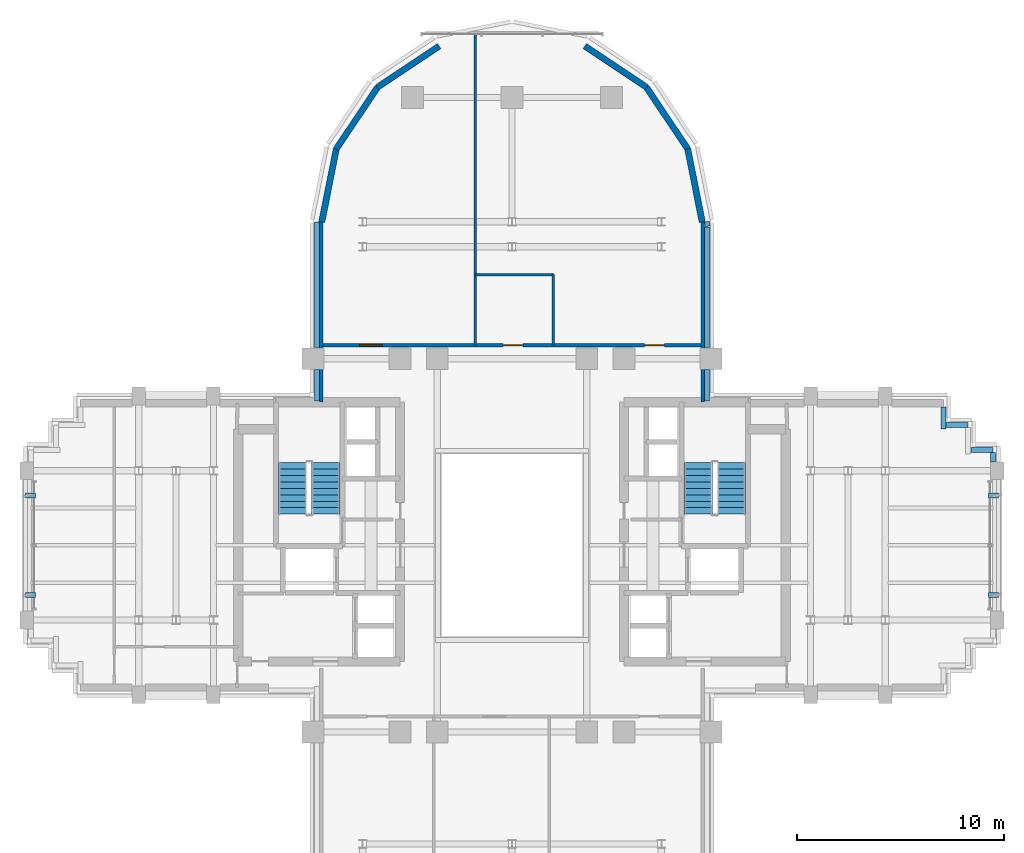
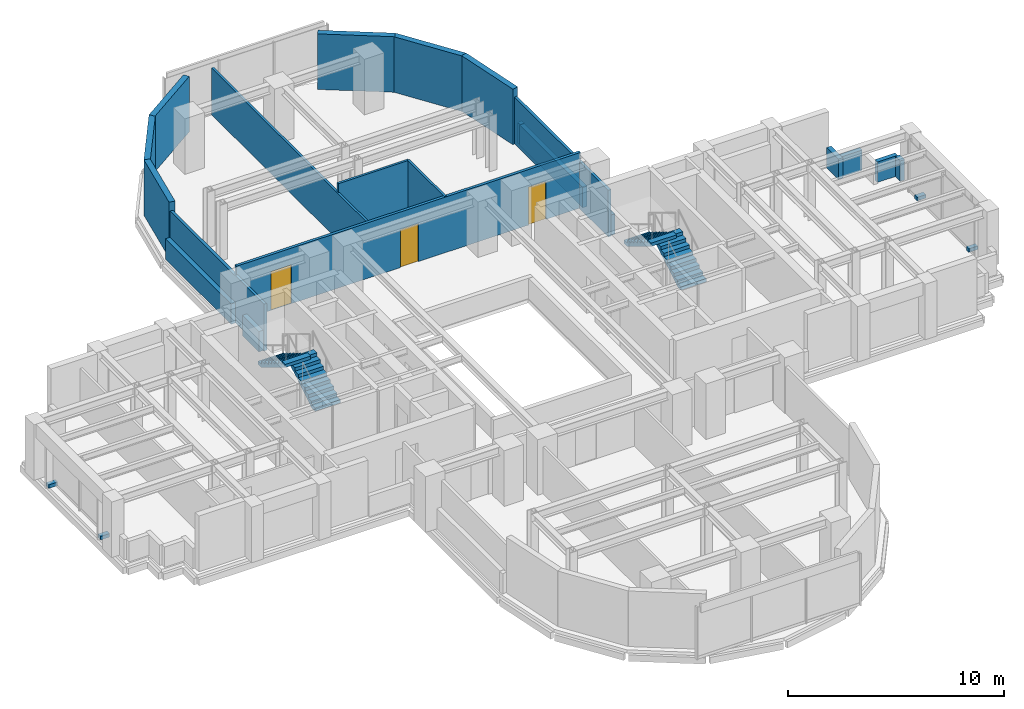
# One storey, part 10 of 13: 21 walls, 4 discrete accessories, 4 stair flights, 3 doors, 3 openings, 2 elements without a shape of their own.
"""IFC4 building model written with IfcOpenShell, lengths in metres."""

import ifcopenshell
import ifcopenshell.guid

model = None  # the IFC model being written
_history = None  # IfcOwnerHistory: only IFC2X3 demands one
_inside = {}  # id of a spatial element -> (the spatial element, [elements in it])
_under = {}  # id of a project, library or spatial element -> (it, [spatial elements below it])
_declared = {}  # id of a project -> (the project, [libraries it declares])
_typed = {}  # id of a type object -> (the type object, [elements of that type])
_made_of = {}  # id of a material, layer set ... -> (it, [elements and type objects made of it])


def new_model(schema):
    """Start an empty IFC model of exactly this schema.

    Asked for "IFC4X3", IfcOpenShell would pick the latest addendum, in which some entities
    have other attributes; the version numbers below select the first issue.
    IFC2X3 requires an IfcOwnerHistory on every rooted entity: one is made here for all.
    """
    global model, _history
    if schema == "IFC4X3":
        model = ifcopenshell.file(schema_version=(4, 3, 0, 0))
    else:
        model = ifcopenshell.file(schema=schema)
    _inside.clear()
    _under.clear()
    _declared.clear()
    _typed.clear()
    _made_of.clear()
    _history = None
    if model.schema == "IFC2X3":
        org = make("IfcOrganization", Name="unknown")
        user = make(
            "IfcPersonAndOrganization",
            ThePerson=make("IfcPerson", FamilyName="unknown"),
            TheOrganization=org,
        )
        app = make(
            "IfcApplication",
            ApplicationDeveloper=org,
            Version="unknown",
            ApplicationFullName="unknown",
            ApplicationIdentifier="unknown",
        )
        _history = make(
            "IfcOwnerHistory",
            OwningUser=user,
            OwningApplication=app,
            ChangeAction="ADDED",
            CreationDate=0,
        )
    return model


def make(cls, **values):
    """One entity of the class cls with the attributes given. An attribute that is None is left unset."""
    return model.create_entity(
        cls, **{name: value for name, value in values.items() if value is not None}
    )


def rooted(cls, **values):
    """An entity with a GlobalId (a new one), such as an element, a storey or a relation."""
    return make(cls, GlobalId=ifcopenshell.guid.new(), OwnerHistory=_history, **values)


def si_unit(unit_type, name, prefix=None):
    """IfcSIUnit, for example si_unit("LENGTHUNIT", "METRE", prefix="MILLI")."""
    return make("IfcSIUnit", UnitType=unit_type, Prefix=prefix, Name=name)


def assignment(units):
    """IfcUnitAssignment: the units of a project."""
    return None if units is None else make("IfcUnitAssignment", Units=units)


def point(xyz):
    """IfcCartesianPoint."""
    return None if xyz is None else make("IfcCartesianPoint", Coordinates=xyz)


def direction(xyz):
    """IfcDirection."""
    return None if xyz is None else make("IfcDirection", DirectionRatios=xyz)


def frame(location, z_axis=None, x_axis=None):
    """IfcAxis2Placement3D, a coordinate frame: its origin and axes. An axis left out is left unset."""
    return make(
        "IfcAxis2Placement3D",
        Location=point(location),
        Axis=direction(z_axis),
        RefDirection=direction(x_axis),
    )


def frame_2d(location, x_axis=None):
    """IfcAxis2Placement2D, a coordinate frame in the plane: its origin and x axis."""
    return make(
        "IfcAxis2Placement2D", Location=point(location), RefDirection=direction(x_axis)
    )


def origin():
    """The frame at (0, 0, 0) with its axes left unset."""
    return frame((0.0, 0.0, 0.0))


def origin_2d():
    """The frame at (0, 0) in the plane with its x axis left unset."""
    return frame_2d((0.0, 0.0))


def place(relative_to, where):
    """IfcLocalPlacement: puts the frame where relative to a parent placement (None: the world)."""
    return make(
        "IfcLocalPlacement", PlacementRelTo=relative_to, RelativePlacement=where
    )


def context(
    kind, dimensions, precision=None, world=None, true_north=None, identifier=None
):
    """IfcGeometricRepresentationContext, for example the 3D "Model" context."""
    return make(
        "IfcGeometricRepresentationContext",
        ContextIdentifier=identifier,
        ContextType=kind,
        CoordinateSpaceDimension=dimensions,
        Precision=precision,
        WorldCoordinateSystem=world,
        TrueNorth=true_north,
    )


def subcontext(parent, identifier, kind, view, scale=None):
    """IfcGeometricRepresentationSubContext, for example "Body" below "Model"."""
    return make(
        "IfcGeometricRepresentationSubContext",
        ContextIdentifier=identifier,
        ContextType=kind,
        ParentContext=parent,
        TargetScale=scale,
        TargetView=view,
    )


def project(units=None, contexts=None):
    """IfcProject with its units and contexts."""
    return rooted(
        "IfcProject",
        Name="project",
        RepresentationContexts=contexts,
        UnitsInContext=assignment(units),
    )


def spatial(cls, under=None, at=None, **own):
    """A site, building, storey or space (cls), placed at a placement, below another one or the project."""
    s = rooted(cls, ObjectPlacement=at, **own)
    if under is not None:
        _under.setdefault(under.id(), (under, []))[1].append(s)
    return s


def polyline(points):
    """IfcPolyline through the points."""
    return make("IfcPolyline", Points=[point(p) for p in points])


def profile(cls, at=None, kind="AREA", **sizes):
    """A parametric profile (cls). Its sizes go by their IFC names, for example OverallWidth=200.0."""
    return make(cls, ProfileType=kind, Position=at, **sizes)


def rectangle(**sizes):
    """IfcRectangleProfileDef."""
    return profile("IfcRectangleProfileDef", **sizes)


def outline(outer, holes=None, kind="AREA"):
    """IfcArbitraryClosedProfileDef: a profile drawn as a closed curve; with holes, ...WithVoids."""
    if holes is None:
        return make("IfcArbitraryClosedProfileDef", ProfileType=kind, OuterCurve=outer)
    return make(
        "IfcArbitraryProfileDefWithVoids",
        ProfileType=kind,
        OuterCurve=outer,
        InnerCurves=holes,
    )


def extrude(swept, where, along, depth):
    """IfcExtrudedAreaSolid: the profile swept, set in the frame where, extruded along a direction by depth."""
    return make(
        "IfcExtrudedAreaSolid",
        SweptArea=swept,
        Position=where,
        ExtrudedDirection=direction(along),
        Depth=depth,
    )


def shape(context_of_items, identifier, shape_type, items):
    """IfcShapeRepresentation: the items that make up one representation, for example the "Body"."""
    return make(
        "IfcShapeRepresentation",
        ContextOfItems=context_of_items,
        RepresentationIdentifier=identifier,
        RepresentationType=shape_type,
        Items=items,
    )


def source(mapping_origin, context_of_items, identifier, shape_type, items):
    """IfcRepresentationMap: a shape defined once, which mapped items show again and again."""
    return make(
        "IfcRepresentationMap",
        MappingOrigin=mapping_origin,
        MappedRepresentation=shape(context_of_items, identifier, shape_type, items),
    )


def transform(
    local_origin,
    x_axis=None,
    y_axis=None,
    z_axis=None,
    scale=None,
    scale2=None,
    scale3=None,
    uniform=True,
):
    """IfcCartesianTransformationOperator3D, or its non-uniform kind. x_axis, y_axis, z_axis: its Axis1, 2, 3."""
    if uniform:
        return make(
            "IfcCartesianTransformationOperator3D",
            Axis1=direction(x_axis),
            Axis2=direction(y_axis),
            LocalOrigin=point(local_origin),
            Scale=scale,
            Axis3=direction(z_axis),
        )
    return make(
        "IfcCartesianTransformationOperator3DnonUniform",
        Axis1=direction(x_axis),
        Axis2=direction(y_axis),
        LocalOrigin=point(local_origin),
        Scale=scale,
        Axis3=direction(z_axis),
        Scale2=scale2,
        Scale3=scale3,
    )


def mapped(mapping_source, mapping_target):
    """IfcMappedItem: shows the shape of a source again, moved by a transform."""
    return make(
        "IfcMappedItem", MappingSource=mapping_source, MappingTarget=mapping_target
    )


def material(Name=None, Category=None):
    """IfcMaterial."""
    return make("IfcMaterial", Name=Name, Category=Category)


def layer(
    of_material, thickness, ventilated=None, Name=None, Category=None, Priority=None
):
    """IfcMaterialLayer: one layer of a wall or slab, of a material (None: an air gap)."""
    return make(
        "IfcMaterialLayer",
        Material=of_material,
        LayerThickness=thickness,
        IsVentilated=ventilated,
        Name=Name,
        Category=Category,
        Priority=Priority,
    )


def layer_set(layers, Name=None):
    """IfcMaterialLayerSet."""
    return make("IfcMaterialLayerSet", MaterialLayers=layers, LayerSetName=Name)


def made_of(thing, what):
    """Note that an element or type object is made of a material, layer set ...; save() writes the relation."""
    if what is not None:
        _made_of.setdefault(what.id(), (what, []))[1].append(thing)
    return thing


def type_object(cls, material=None, **own):
    """A type object (cls), such as IfcWallType, which elements share."""
    return made_of(rooted(cls, **own), material)


def element(
    cls,
    number,
    at=None,
    inside=None,
    cuts=None,
    type_object=None,
    material=None,
    context=None,
    identifier="Body",
    shape_type=None,
    held_by="IfcProductDefinitionShape",
    body=None,
    shapes=None,
    **own,
):
    """One element of the class cls, such as IfcWall. Its Tag is "e" and its number.

    at: its placement. inside: the storey or other place that contains it. cuts: it is an
    opening in that element (IfcRelVoidsElement). A single representation is given by context,
    identifier, shape_type and body (its items); several are given by shapes. held_by: the class
    of the entity that holds the representations. save() writes the other relations.
    """
    e = rooted(cls, Tag="e%d" % number, ObjectPlacement=at, **own)
    if body is not None:
        shapes = [shape(context, identifier, shape_type, body)]
    if shapes is not None:
        e.Representation = make(held_by, Representations=shapes)
    if inside is not None:
        _inside.setdefault(inside.id(), (inside, []))[1].append(e)
    if cuts is not None:
        rooted(
            "IfcRelVoidsElement", RelatingBuildingElement=cuts, RelatedOpeningElement=e
        )
    if type_object is not None:
        _typed.setdefault(type_object.id(), (type_object, []))[1].append(e)
    return made_of(e, material)


def fill(opening, filler):
    """IfcRelFillsElement: the door or window that sits in an opening."""
    return rooted(
        "IfcRelFillsElement",
        RelatingOpeningElement=opening,
        RelatedBuildingElement=filler,
    )


def aggregate(whole, parts):
    """IfcRelAggregates: a whole, such as a stair, and the parts it consists of."""
    return rooted("IfcRelAggregates", RelatingObject=whole, RelatedObjects=parts)


def save(model, path):
    """Write the relations noted so far, then the file.

    IfcRelAggregates (storeys below a building ...), IfcRelContainedInSpatialStructure (elements
    in a storey), IfcRelDefinesByType, IfcRelAssociatesMaterial and IfcRelDeclares: one each for
    every whole, place, type object, material and project.
    """
    for whole, parts in _under.values():
        aggregate(whole, parts)
    for where, things in _inside.values():
        rooted(
            "IfcRelContainedInSpatialStructure",
            RelatedElements=things,
            RelatingStructure=where,
        )
    for kind, things in _typed.values():
        rooted("IfcRelDefinesByType", RelatedObjects=things, RelatingType=kind)
    for what, things in _made_of.values():
        rooted("IfcRelAssociatesMaterial", RelatedObjects=things, RelatingMaterial=what)
    for by, libraries in _declared.values():
        rooted("IfcRelDeclares", RelatingContext=by, RelatedDefinitions=libraries)
    model.write(path)


model = new_model("IFC4")

# Units and contexts
model_context = context("Model", 3, precision=1e-05, world=origin(), true_north=direction((0.0, 1.0)))
body_context = subcontext(model_context, "Body", "Model", "MODEL_VIEW")
ifc_project = project(units=[si_unit("LENGTHUNIT", "METRE"), si_unit("AREAUNIT", "SQUARE_METRE"), si_unit("VOLUMEUNIT", "CUBIC_METRE"), si_unit("PLANEANGLEUNIT", "RADIAN"), si_unit("MASSUNIT", "GRAM", prefix="KILO")], contexts=[model_context])

# Site, building, storey
site_placement = place(None, origin())
site = spatial("IfcSite", under=ifc_project, at=site_placement, CompositionType="ELEMENT")
building_placement = place(site_placement, origin())
building = spatial("IfcBuilding", under=site, at=building_placement, Name="Keilestroom Media Tower", CompositionType="ELEMENT")
storey_placement = place(building_placement, frame((0.0, 0.0, 148.199951171875)))
storey = spatial("IfcBuildingStorey", under=building, at=storey_placement, Name="L40", CompositionType="ELEMENT", Elevation=148.199951171875)

# Walls
ifc_material_1 = material(Name="Precast concrete C40/50", Category="concrete")
ifc_layer_1 = layer(ifc_material_1, 0.300048828125)
ifc_layer_set_1 = layer_set([ifc_layer_1], Name="Precast concrete C40/50")
wall_type_1 = type_object("IfcWallType", Name="Exterior-Masonry-Spandrel-Wall-300", PredefinedType="SOLIDWALL", material=ifc_layer_set_1)
for number, where, z_axis, x_axis, name in (
    (1, (9.1748046875, 15.585205078125, 0.0), (0.0, 0.0, 1.0), (-0.195114232679, 0.980780523974, 0.0), "L40 Lobe Facet Precast Frame Wall 01"),
    (2, (8.48193359375, 19.097412109375, 0.0), (0.0, 0.0, 1.0), (-0.555574187116, 0.831466970246, 0.0), "L40 Lobe Facet Precast Frame Wall 02"),
):
    element("IfcWall", number, at=place(storey_placement, frame(where, z_axis=z_axis, x_axis=x_axis)), inside=storey, type_object=wall_type_1, Name=name, PredefinedType="SOLIDWALL", context=body_context, shape_type="SweptSolid", body=[
        extrude(rectangle(XDim=3.608642578125, YDim=0.300048828125, at=frame_2d((1.80419921875, 0.0))), origin(), (0.0, 0.0, 1.0), 3.14013671875),
    ])
for number, where, z_axis, x_axis, name in (
    (3, (6.497802734375, 22.0771484375, 0.0), (0.0, 0.0, 1.0), (-0.8314749531, 0.555562239868, 0.0), "L40 Lobe Facet Precast Frame Wall 03"),
    (4, (-3.510009765625, 24.073486328125, 0.0), (0.0, 0.0, 1.0), (-0.8314749531, -0.555562239868, 0.0), "L40 Lobe Facet Precast Frame Wall 04"),
):
    element("IfcWall", number, at=place(storey_placement, frame(where, z_axis=z_axis, x_axis=x_axis)), inside=storey, type_object=wall_type_1, Name=name, PredefinedType="SOLIDWALL", context=body_context, shape_type="SweptSolid", body=[
        extrude(rectangle(XDim=3.59326171875, YDim=0.300048828125, at=frame_2d((1.796630859375, 0.0))), origin(), (0.0, 0.0, 1.0), 3.14013671875),
    ])
for number, where, z_axis, x_axis, name in (
    (5, (-6.47705078125, 22.097900390625, 0.0), (0.0, 0.0, 1.0), (-0.555574187116, -0.831466970246, 0.0), "L40 Lobe Facet Precast Frame Wall 05"),
    (6, (-8.470703125, 19.12451171875, 0.0), (0.0, 0.0, 1.0), (-0.195114232679, -0.980780523974, 0.0), "L40 Lobe Facet Precast Frame Wall 06"),
):
    element("IfcWall", number, at=place(storey_placement, frame(where, z_axis=z_axis, x_axis=x_axis)), inside=storey, type_object=wall_type_1, Name=name, PredefinedType="SOLIDWALL", context=body_context, shape_type="SweptSolid", body=[
        extrude(rectangle(XDim=3.608642578125, YDim=0.300048828125, at=frame_2d((1.80419921875, 0.0))), origin(), (0.0, 0.0, 1.0), 3.14013671875),
    ])
ifc_material_2 = material(Name="Gypsum Plasterboard & Steel Stud", Category="steel")
ifc_layer_2 = layer(ifc_material_2, 0.1201171875)
ifc_layer_set_2 = layer_set([ifc_layer_2], Name="Gypsum Plasterboard & Steel Stud")
wall_type_2 = type_object("IfcWallType", Name="Interior-Partition-Wall-120", PredefinedType="PARTITIONING", material=ifc_layer_set_2)
wall_1_placement = place(storey_placement, frame((-1.780029296875, 9.64990234375, 0.0), z_axis=(0.0, 0.0, 1.0), x_axis=(0.0, 1.0, 0.0)))
element("IfcWall", 7, at=wall_1_placement, inside=storey, type_object=wall_type_2, Name="L40 Interior Wall WP-L40-NL-V1", PredefinedType="PARTITIONING", context=body_context, shape_type="SweptSolid", body=[
    extrude(rectangle(XDim=15.0, YDim=0.1201171875, at=frame_2d((7.5, 0.0))), origin(), (0.0, 0.0, 1.0), 2.64013671875),
])
wall_2_placement = place(storey_placement, frame((-1.780029296875, 13.050048828125, 0.0), z_axis=(0.0, 0.0, 1.0), x_axis=(1.0, 0.0, 0.0)))
element("IfcWall", 8, at=wall_2_placement, inside=storey, type_object=wall_type_2, Name="L40 Interior Wall WP-L40-NL-WC-N", PredefinedType="PARTITIONING", context=body_context, shape_type="SweptSolid", body=[
    extrude(rectangle(XDim=3.780029296875, YDim=0.1201171875, at=frame_2d((1.89013671875, 0.0))), origin(), (0.0, 0.0, 1.0), 3.14013671875),
])
wall_3_placement = place(storey_placement, frame((2.0, 9.64990234375, 0.0), z_axis=(0.0, 0.0, 1.0), x_axis=(0.0, 1.0, 0.0)))
element("IfcWall", 9, at=wall_3_placement, inside=storey, type_object=wall_type_2, Name="L40 Interior Wall WP-L40-NL-WC-E", PredefinedType="PARTITIONING", context=body_context, shape_type="SweptSolid", body=[
    extrude(rectangle(XDim=3.400146484375, YDim=0.1201171875, at=frame_2d((1.7001953125, 0.0))), origin(), (0.0, 0.0, 1.0), 3.14013671875),
])

# Wall, openings, doors
ifc_layer_3 = layer(ifc_material_2, 0.14990234375)
ifc_layer_set_3 = layer_set([ifc_layer_3], Name="Gypsum Plasterboard & Steel Stud")
wall_type_3 = type_object("IfcWallType", Name="Interior-Partition-Wall-150", PredefinedType="PARTITIONING", material=ifc_layer_set_3)
wall_4_placement = place(storey_placement, frame((-9.199951171875, 9.64990234375, 0.0), z_axis=(0.0, 0.0, 1.0), x_axis=(1.0, 0.0, 0.0)))
wall_4 = element("IfcWall", 10, at=wall_4_placement, inside=storey, type_object=wall_type_3, Name="L40 Interior Wall WP-L40-NL-BASE", PredefinedType="PARTITIONING", context=body_context, shape_type="SweptSolid", body=[
    extrude(rectangle(XDim=18.39990234375, YDim=0.14990234375, at=frame_2d((9.199951171875, 0.0))), origin(), (0.0, 0.0, 1.0), 3.14013671875),
])
opening_1_placement = place(wall_4_placement, frame((8.77001953125, 0.0, 0.0)))
opening_1 = element("IfcOpeningElement", 11, at=opening_1_placement, cuts=wall_4, Name="Opening DI-03", PredefinedType="OPENING", context=body_context, shape_type="SweptSolid", body=[
    extrude(rectangle(XDim=0.949951171875, YDim=2.14990234375, at=frame_2d((0.47509765625, 1.074951171875))), frame((0.0, 0.0849609375, 0.0), z_axis=(0.0, -1.0, 0.0), x_axis=(1.0, 0.0, 0.0)), (0.0, 0.0, 1.0), 0.169921875),
])
opening_2_placement = place(wall_4_placement, frame((1.85009765625, 0.0, 0.0)))
opening_2 = element("IfcOpeningElement", 12, at=opening_2_placement, cuts=wall_4, Name="Opening DI-04", PredefinedType="OPENING", context=body_context, shape_type="SweptSolid", body=[
    extrude(rectangle(XDim=1.10009765625, YDim=2.199951171875, at=frame_2d((0.550048828125, 1.10009765625))), frame((0.0, 0.0849609375, 0.0), z_axis=(0.0, -1.0, 0.0), x_axis=(1.0, 0.0, 0.0)), (0.0, 0.0, 1.0), 0.169921875),
])
opening_3_placement = place(wall_4_placement, frame((15.60009765625, 0.0, 0.0)))
opening_3 = element("IfcOpeningElement", 13, at=opening_3_placement, cuts=wall_4, Name="Opening DI-03", PredefinedType="OPENING", context=body_context, shape_type="SweptSolid", body=[
    extrude(rectangle(XDim=0.949951171875, YDim=2.14990234375, at=frame_2d((0.47509765625, 1.074951171875))), frame((0.0, 0.0849609375, 0.0), z_axis=(0.0, -1.0, 0.0), x_axis=(1.0, 0.0, 0.0)), (0.0, 0.0, 1.0), 0.169921875),
])
ifc_material_3 = material(Name="Lacquered European Oak Leaf", Category="wood")
door_type_1 = type_object("IfcDoorType", Name="Interior-Room-And-Suite-Door-DI-03", OperationType="NOTDEFINED", PredefinedType="DOOR", material=ifc_material_3)
shared_shape_1 = source(origin(), body_context, "Body", "SweptSolid", [
    extrude(rectangle(XDim=0.949951171875, YDim=2.14990234375, at=frame_2d((0.47509765625, 1.074951171875))), frame((0.0, 0.02490234375, 0.0), z_axis=(0.0, -1.0, 0.0), x_axis=(1.0, 0.0, 0.0)), (0.0, 0.0, 1.0), 0.050048828125),
])
door_1_placement = place(opening_1_placement, origin())
door_1 = element("IfcDoor", 14, at=door_1_placement, inside=storey, type_object=door_type_1, Name="L40 Interior Door DI-L40-DNL-WC", OperationType="SINGLE_SWING_RIGHT", OverallHeight=2.14990234375, OverallWidth=0.949951171875, PredefinedType="DOOR", context=body_context, shape_type="MappedRepresentation", body=[
    mapped(shared_shape_1, transform((0.0, 0.0, 0.0), x_axis=(1.0, 0.0, 0.0), y_axis=(0.0, 1.0, 0.0), z_axis=(0.0, 0.0, 1.0), scale=1.0)),
])
fill(opening_1, door_1)
door_2_placement = place(opening_3_placement, origin())
door_2 = element("IfcDoor", 15, at=door_2_placement, inside=storey, type_object=door_type_1, Name="L40 Interior Door DI-L40-DNL-B", OperationType="SINGLE_SWING_RIGHT", OverallHeight=2.14990234375, OverallWidth=0.949951171875, PredefinedType="DOOR", context=body_context, shape_type="MappedRepresentation", body=[
    mapped(shared_shape_1, transform((0.0, 0.0, 0.0), x_axis=(1.0, 0.0, 0.0), y_axis=(0.0, 1.0, 0.0), z_axis=(0.0, 0.0, 1.0), scale=1.0)),
])
fill(opening_3, door_2)
ifc_material_4 = material(Name="Acoustic Glazed Aluminium Leaf", Category="aluminium")
door_type_2 = type_object("IfcDoorType", Name="Interior-Room-And-Suite-Door-DI-04", OperationType="NOTDEFINED", PredefinedType="DOOR", material=ifc_material_4)
shared_shape_2 = source(origin(), body_context, "Body", "SweptSolid", [
    extrude(rectangle(XDim=1.10009765625, YDim=2.199951171875, at=frame_2d((0.550048828125, 1.10009765625))), frame((0.0, 0.02490234375, 0.0), z_axis=(0.0, -1.0, 0.0), x_axis=(1.0, 0.0, 0.0)), (0.0, 0.0, 1.0), 0.050048828125),
])
door_3_placement = place(opening_2_placement, origin())
door_3 = element("IfcDoor", 16, at=door_3_placement, inside=storey, type_object=door_type_2, Name="L40 Interior Door DI-L40-DNL-A", OperationType="SINGLE_SWING_LEFT", OverallHeight=2.199951171875, OverallWidth=1.10009765625, PredefinedType="DOOR", context=body_context, shape_type="MappedRepresentation", body=[
    mapped(shared_shape_2, transform((0.0, 0.0, 0.0), x_axis=(1.0, 0.0, 0.0), y_axis=(0.0, 1.0, 0.0), z_axis=(0.0, 0.0, 1.0), scale=1.0)),
])
fill(opening_2, door_3)

# Walls
for number, where, z_axis, x_axis, name in (
    (17, (-9.199951171875, 6.89990234375, 0.0), (0.0, 0.0, 1.0), (0.0, 1.0, 0.0), "L40 Interior Wall WP-L40-NL-CHKW"),
    (18, (9.199951171875, 6.89990234375, 0.0), (0.0, 0.0, 1.0), (0.0, 1.0, 0.0), "L40 Interior Wall WP-L40-NL-CHKE"),
):
    element("IfcWall", number, at=place(storey_placement, frame(where, z_axis=z_axis, x_axis=x_axis)), inside=storey, type_object=wall_type_3, Name=name, PredefinedType="PARTITIONING", context=body_context, shape_type="SweptSolid", body=[
        extrude(rectangle(XDim=8.780029296875, YDim=0.14990234375, at=frame_2d((4.39013671875, 0.0))), origin(), (0.0, 0.0, 1.0), 2.64013671875),
    ])
ifc_layer_4 = layer(ifc_material_1, 0.239990234375)
ifc_layer_set_4 = layer_set([ifc_layer_4], Name="Precast concrete C40/50")
wall_type_4 = type_object("IfcWallType", Name="Roof-And-Terrace-Parapet-Wall-240", PredefinedType="PARAPET", material=ifc_layer_set_4)
wall_5_placement = place(storey_placement, frame((-9.39990234375, 6.952880859375, 0.0), z_axis=(0.0, 0.0, 1.0), x_axis=(0.0, 1.0, 0.0)))
element("IfcWall", 19, at=wall_5_placement, inside=storey, type_object=wall_type_4, Name="L40 Perimeter Edge Parapet Wall 23", PredefinedType="PARAPET", context=body_context, shape_type="SweptSolid", body=[
    extrude(rectangle(XDim=1.51904296875, YDim=0.239990234375, at=frame_2d((0.759521484375, 0.0))), origin(), (0.0, 0.0, 1.0), 1.150146484375),
])
wall_6_placement = place(storey_placement, frame((-9.39990234375, 9.528076171875, 0.0), z_axis=(0.0, 0.0, 1.0), x_axis=(0.0, 1.0, 0.0)))
element("IfcWall", 20, at=wall_6_placement, inside=storey, type_object=wall_type_4, Name="L40 Perimeter Edge Parapet Wall 24", PredefinedType="PARAPET", context=body_context, shape_type="SweptSolid", body=[
    extrude(rectangle(XDim=6.07470703125, YDim=0.239990234375, at=frame_2d((3.037353515625, 0.0))), origin(), (0.0, 0.0, 1.0), 1.150146484375),
])
wall_7_placement = place(storey_placement, frame((9.395263671875, 15.604248046875, 0.0), z_axis=(0.0, 0.0, 1.0), x_axis=(0.194652052864, -0.980872355771, 0.0)))
element("IfcWall", 21, at=wall_7_placement, inside=storey, type_object=wall_type_4, Name="L40 Perimeter Edge Parapet Wall 25", PredefinedType="PARAPET", context=body_context, shape_type="SweptSolid", body=[
    extrude(rectangle(XDim=0.224609375, YDim=0.239990234375, at=frame_2d((0.1123046875, 0.0))), origin(), (0.0, 0.0, 1.0), 1.150146484375),
])
wall_8_placement = place(storey_placement, frame((9.39990234375, 15.357666015625, 0.0), z_axis=(0.0, 0.0, 1.0), x_axis=(0.0, -1.0, 0.0)))
element("IfcWall", 22, at=wall_8_placement, inside=storey, type_object=wall_type_4, Name="L40 Perimeter Edge Parapet Wall 26", PredefinedType="PARAPET", context=body_context, shape_type="SweptSolid", body=[
    extrude(rectangle(XDim=5.82958984375, YDim=0.239990234375, at=frame_2d((2.914794921875, 0.0))), origin(), (0.0, 0.0, 1.0), 1.150146484375),
])
wall_9_placement = place(storey_placement, frame((9.39990234375, 8.471923828125, 0.0), z_axis=(0.0, 0.0, 1.0), x_axis=(0.0, -1.0, 0.0)))
element("IfcWall", 23, at=wall_9_placement, inside=storey, type_object=wall_type_4, Name="L40 Perimeter Edge Parapet Wall 27", PredefinedType="PARAPET", context=body_context, shape_type="SweptSolid", body=[
    extrude(rectangle(XDim=1.51904296875, YDim=0.239990234375, at=frame_2d((0.759521484375, 0.0))), origin(), (0.0, 0.0, 1.0), 1.150146484375),
])
for number, where, z_axis, x_axis, name in (
    (24, (20.800048828125, 6.677001953125, 0.0), (0.0, 0.0, 1.0), (0.0, -1.0, 0.0), "L40 Perimeter Edge Parapet Wall 29"),
    (25, (20.923095703125, 5.800048828125, 0.0), (0.0, 0.0, 1.0), (1.0, 0.0, 0.0), "L40 Perimeter Edge Parapet Wall 30"),
    (26, (22.123046875, 4.60009765625, 0.0), (0.0, 0.0, 1.0), (1.0, 0.0, 0.0), "L40 Perimeter Edge Parapet Wall 32"),
):
    element("IfcWall", number, at=place(storey_placement, frame(where, z_axis=z_axis, x_axis=x_axis)), inside=storey, type_object=wall_type_4, Name=name, PredefinedType="PARAPET", context=body_context, shape_type="SweptSolid", body=[
        extrude(rectangle(XDim=1.076904296875, YDim=0.239990234375, at=frame_2d((0.53857421875, 0.0))), origin(), (0.0, 0.0, 1.0), 1.150146484375),
    ])
wall_10_placement = place(storey_placement, frame((23.199951171875, 4.47705078125, 0.0), z_axis=(0.0, 0.0, 1.0), x_axis=(0.0, -1.0, 0.0)))
element("IfcWall", 27, at=wall_10_placement, inside=storey, type_object=wall_type_4, Name="L40 Perimeter Edge Parapet Wall 33", PredefinedType="PARAPET", context=body_context, shape_type="SweptSolid", body=[
    extrude(rectangle(XDim=0.448974609375, YDim=0.239990234375, at=frame_2d((0.224609375, 0.0))), origin(), (0.0, 0.0, 1.0), 1.150146484375),
])

# Stair, stair flights
ifc_material_5 = material(Name="Concrete C45/55", Category="concrete")
stair_type = type_object("IfcStairType", Name="Enclosed-Dog-Leg-Stair-ST-CORE", PredefinedType="HALF_TURN_STAIR", material=ifc_material_5)
stair_1_placement = place(storey_placement, origin())
stair_1 = element("IfcStair", 28, at=stair_1_placement, inside=storey, type_object=stair_type, Name="L40 West Core Escape Stair ST-1", PredefinedType="HALF_TURN_STAIR")
stair_flight_type = type_object("IfcStairFlightType", Name="Precast-Concrete-Stair-Flight-Core-160", PredefinedType="STRAIGHT", material=ifc_material_1)
stair_flight_1_placement = place(storey_placement, frame((-8.97998046875, 1.5, 0.0), z_axis=(0.0, 0.0, 1.0), x_axis=(0.0, 1.0, 0.0)))
stair_flight_1 = element("IfcStairFlight", 29, at=stair_flight_1_placement, type_object=stair_flight_type, Name="ST-1 flight 1", NumberOfRisers=9, NumberOfTreads=8, PredefinedType="STRAIGHT", RiserHeight=0.188888889, TreadLength=0.312, context=body_context, shape_type="SweptSolid", body=[
    extrude(outline(polyline([(0.0, 0.0), (0.0, 0.18896484375), (0.31201171875, 0.18896484375), (0.31201171875, 0.377685546875), (0.6240234375, 0.377685546875), (0.6240234375, 0.566650390625), (0.93603515625, 0.566650390625), (0.93603515625, 0.755615234375), (1.248046875, 0.755615234375), (1.248046875, 0.9443359375), (1.56005859375, 0.9443359375), (1.56005859375, 1.13330078125), (1.8720703125, 1.13330078125), (1.8720703125, 1.322265625), (2.18408203125, 1.322265625), (2.18408203125, 1.51123046875), (2.49609375, 1.51123046875), (2.49609375, 1.699951171875), (2.49609375, 1.32421875), (0.308837890625, 0.0), (0.0, 0.0)])), frame((0.0, 0.68017578125, 0.0), z_axis=(0.0, -1.0, 0.0), x_axis=(1.0, 0.0, 0.0)), (0.0, 0.0, 1.0), 1.360107421875),
])
stair_flight_2_placement = place(storey_placement, frame((-10.580078125, 3.99609375, 1.699951171875), z_axis=(0.0, 0.0, 1.0), x_axis=(0.0, -1.0, 0.0)))
stair_flight_2 = element("IfcStairFlight", 30, at=stair_flight_2_placement, type_object=stair_flight_type, Name="ST-1 flight 2", NumberOfRisers=9, NumberOfTreads=8, PredefinedType="STRAIGHT", RiserHeight=0.188888889, TreadLength=0.312, context=body_context, shape_type="SweptSolid", body=[
    extrude(outline(polyline([(0.0, 0.0), (0.0, 0.18896484375), (0.31201171875, 0.18896484375), (0.31201171875, 0.377685546875), (0.6240234375, 0.377685546875), (0.6240234375, 0.566650390625), (0.93603515625, 0.566650390625), (0.93603515625, 0.755615234375), (1.248046875, 0.755615234375), (1.248046875, 0.9443359375), (1.56005859375, 0.9443359375), (1.56005859375, 1.13330078125), (1.8720703125, 1.13330078125), (1.8720703125, 1.322265625), (2.18408203125, 1.322265625), (2.18408203125, 1.51123046875), (2.49609375, 1.51123046875), (2.49609375, 1.699951171875), (2.49609375, 1.32421875), (0.308837890625, 0.0), (0.0, 0.0)])), frame((0.0, 0.68017578125, 0.0), z_axis=(0.0, -1.0, 0.0), x_axis=(1.0, 0.0, 0.0)), (0.0, 0.0, 1.0), 1.360107421875),
])
aggregate(stair_1, [stair_flight_1, stair_flight_2])

stair_2_placement = place(storey_placement, origin())
stair_2 = element("IfcStair", 31, at=stair_2_placement, inside=storey, type_object=stair_type, Name="L40 East Core Escape Stair ST-2", PredefinedType="HALF_TURN_STAIR")
stair_flight_3_placement = place(storey_placement, frame((10.580078125, 1.5, 0.0), z_axis=(0.0, 0.0, 1.0), x_axis=(0.0, 1.0, 0.0)))
stair_flight_3 = element("IfcStairFlight", 32, at=stair_flight_3_placement, type_object=stair_flight_type, Name="ST-2 flight 1", NumberOfRisers=9, NumberOfTreads=8, PredefinedType="STRAIGHT", RiserHeight=0.188888889, TreadLength=0.312, context=body_context, shape_type="SweptSolid", body=[
    extrude(outline(polyline([(0.0, 0.0), (0.0, 0.18896484375), (0.31201171875, 0.18896484375), (0.31201171875, 0.377685546875), (0.6240234375, 0.377685546875), (0.6240234375, 0.566650390625), (0.93603515625, 0.566650390625), (0.93603515625, 0.755615234375), (1.248046875, 0.755615234375), (1.248046875, 0.9443359375), (1.56005859375, 0.9443359375), (1.56005859375, 1.13330078125), (1.8720703125, 1.13330078125), (1.8720703125, 1.322265625), (2.18408203125, 1.322265625), (2.18408203125, 1.51123046875), (2.49609375, 1.51123046875), (2.49609375, 1.699951171875), (2.49609375, 1.32421875), (0.308837890625, 0.0), (0.0, 0.0)])), frame((0.0, 0.68017578125, 0.0), z_axis=(0.0, -1.0, 0.0), x_axis=(1.0, 0.0, 0.0)), (0.0, 0.0, 1.0), 1.360107421875),
])
stair_flight_4_placement = place(storey_placement, frame((8.97998046875, 3.99609375, 1.699951171875), z_axis=(0.0, 0.0, 1.0), x_axis=(0.0, -1.0, 0.0)))
stair_flight_4 = element("IfcStairFlight", 33, at=stair_flight_4_placement, type_object=stair_flight_type, Name="ST-2 flight 2", NumberOfRisers=9, NumberOfTreads=8, PredefinedType="STRAIGHT", RiserHeight=0.188888889, TreadLength=0.312, context=body_context, shape_type="SweptSolid", body=[
    extrude(outline(polyline([(0.0, 0.0), (0.0, 0.18896484375), (0.31201171875, 0.18896484375), (0.31201171875, 0.377685546875), (0.6240234375, 0.377685546875), (0.6240234375, 0.566650390625), (0.93603515625, 0.566650390625), (0.93603515625, 0.755615234375), (1.248046875, 0.755615234375), (1.248046875, 0.9443359375), (1.56005859375, 0.9443359375), (1.56005859375, 1.13330078125), (1.8720703125, 1.13330078125), (1.8720703125, 1.322265625), (2.18408203125, 1.322265625), (2.18408203125, 1.51123046875), (2.49609375, 1.51123046875), (2.49609375, 1.699951171875), (2.49609375, 1.32421875), (0.308837890625, 0.0), (0.0, 0.0)])), frame((0.0, 0.68017578125, 0.0), z_axis=(0.0, -1.0, 0.0), x_axis=(1.0, 0.0, 0.0)), (0.0, 0.0, 1.0), 1.360107421875),
])
aggregate(stair_2, [stair_flight_3, stair_flight_4])

# Discrete accessories
ifc_material_6 = material(Name="Stainless Steel 1.4401", Category="steel")
discrete_accessory_type = type_object("IfcDiscreteAccessoryType", Name="Facade-Fin-Fixing-Bracket-BRK-1", PredefinedType="BRACKET", material=ifc_material_6)
shared_shape_3 = source(origin(), body_context, "Body", "SweptSolid", [
    extrude(rectangle(XDim=0.47998046875, YDim=0.239990234375, at=origin_2d()), origin(), (0.0, 0.0, 1.0), 0.199951171875),
])
for number, where, z_axis, x_axis, name in (
    (34, (-23.2099609375, -2.39990234375, -0.009765625), (0.0, 0.0, 1.0), (1.0, 0.0, 0.0), "L40 Sunshade Fin Bracket BRK-1 053"),
    (35, (-23.2099609375, 2.39990234375, -0.009765625), (0.0, 0.0, 1.0), (1.0, 0.0, 0.0), "L40 Sunshade Fin Bracket BRK-1 054"),
    (36, (23.2099609375, -2.39990234375, -0.009765625), (0.0, 0.0, 1.0), (1.0, 0.0, 0.0), "L40 Sunshade Fin Bracket BRK-1 055"),
    (37, (23.2099609375, 2.39990234375, -0.009765625), (0.0, 0.0, 1.0), (1.0, 0.0, 0.0), "L40 Sunshade Fin Bracket BRK-1 056"),
):
    element("IfcDiscreteAccessory", number, at=place(storey_placement, frame(where, z_axis=z_axis, x_axis=x_axis)), inside=storey, type_object=discrete_accessory_type, Name=name, PredefinedType="BRACKET", context=body_context, shape_type="MappedRepresentation", body=[
        mapped(shared_shape_3, transform((0.0, 0.0, 0.0), x_axis=(1.0, 0.0, 0.0), y_axis=(0.0, 1.0, 0.0), z_axis=(0.0, 0.0, 1.0), scale=1.0)),
    ])

save(model, "model.ifc")
